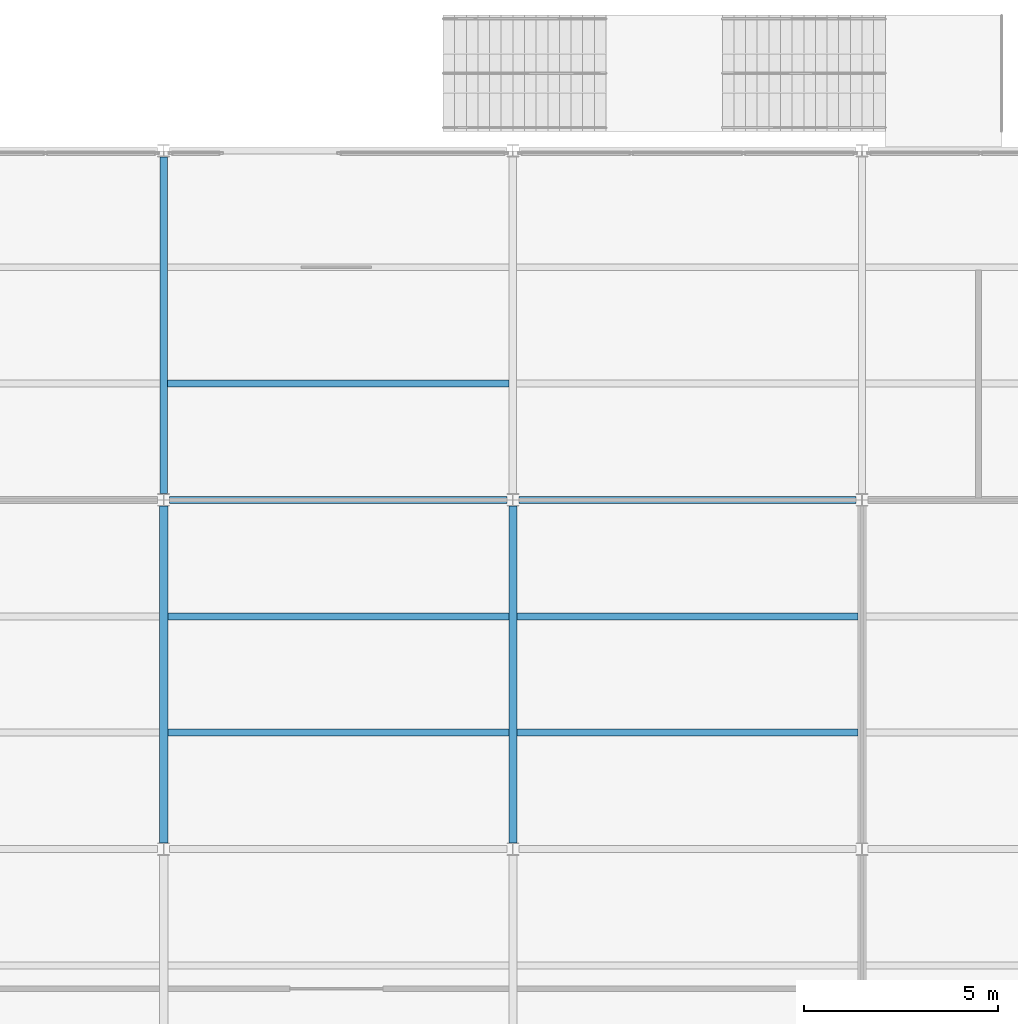
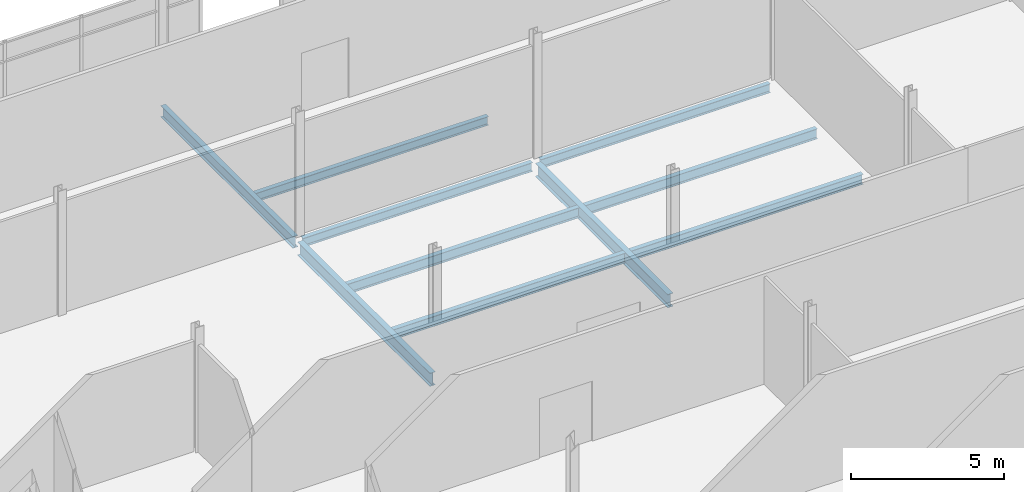
# One storey, part 23 of 112: 10 beams.
"""IFC4 building model written with IfcOpenShell, lengths in metres."""

from ifc_helpers import new_model, si_unit, direction, frame, origin, origin_2d, place, context, subcontext, project, spatial, i_section, extrude, material, material_profile, profile_set, type_object, element, save


model = new_model("IFC4")

# Units and contexts
model_context = context("Model", 3, precision=1e-05, world=origin(), true_north=direction((0.0, 1.0)))
body_context = subcontext(model_context, "Body", "Model", "MODEL_VIEW")
ifc_project = project(units=[si_unit("LENGTHUNIT", "METRE"), si_unit("AREAUNIT", "SQUARE_METRE"), si_unit("VOLUMEUNIT", "CUBIC_METRE"), si_unit("PLANEANGLEUNIT", "RADIAN"), si_unit("MASSUNIT", "GRAM", prefix="KILO")], contexts=[model_context])

# Site, building, storey
site_placement = place(None, origin())
site = spatial("IfcSite", under=ifc_project, at=site_placement, CompositionType="ELEMENT")
building_placement = place(site_placement, origin())
building = spatial("IfcBuilding", under=site, at=building_placement, Name="Shorebreak Coast Museum", CompositionType="ELEMENT")
storey_placement = place(building_placement, frame((0.0, 0.0, 6.0)))
storey = spatial("IfcBuildingStorey", under=building, at=storey_placement, Name="L01", CompositionType="ELEMENT", Elevation=6.0)

# Beams
ifc_material_1 = material(Name="Steel Grade 300", Category="steel")
ifc_material_profile_1 = material_profile(ifc_material_1, i_section(OverallWidth=0.172119140625, OverallDepth=0.358642578125, WebThickness=0.008056640625, FlangeThickness=0.012939453125, FilletRadius=0.011474609375, at=origin_2d()), Name="360UB56.7")
ifc_profile_set_1 = profile_set([ifc_material_profile_1], Name="Steel Grade 300")
beam_type_1 = type_object("IfcBeamType", Name="Floor girder east-west 360UB56.7", PredefinedType="BEAM", material=ifc_profile_set_1)
for number, where, z_axis, x_axis, name in (
    (1, (81.154541015625, 54.0, -0.354248046875), (1.0, 0.0, 0.0), (0.0, 1.0, 0.0), "Floor girder east-west L01 10G"),
    (2, (90.154541015625, 54.0, -0.354248046875), (1.0, 0.0, 0.0), (0.0, 1.0, 0.0), "Floor girder east-west L01 11G"),
):
    element("IfcBeam", number, at=place(storey_placement, frame(where, z_axis=z_axis, x_axis=x_axis)), inside=storey, type_object=beam_type_1, Name=name, PredefinedType="BEAM", context=body_context, shape_type="SweptSolid", body=[
        extrude(i_section(OverallWidth=0.172119140625, OverallDepth=0.358642578125, WebThickness=0.008056640625, FlangeThickness=0.012939453125, FilletRadius=0.011474609375, at=origin_2d()), origin(), (0.0, 0.0, 1.0), 8.69091796875),
    ])
ifc_material_2 = material(Name="Steel Grade 300", Category="steel")
ifc_material_profile_2 = material_profile(ifc_material_2, i_section(OverallWidth=0.19091796875, OverallDepth=0.46044921875, WebThickness=0.010009765625, FlangeThickness=0.01611328125, FilletRadius=0.011474609375, at=origin_2d()), Name="460UB82.1")
ifc_profile_set_2 = profile_set([ifc_material_profile_2], Name="Steel Grade 300")
beam_type_2 = type_object("IfcBeamType", Name="Floor girder north-south 460UB82.1", PredefinedType="BEAM", material=ifc_profile_set_2)
beam_1_placement = place(storey_placement, frame((81.0, 54.160400390625, -0.4052734375), z_axis=(0.0, 1.0, 0.0), x_axis=(-1.0, 0.0, 0.0)))
element("IfcBeam", 3, at=beam_1_placement, inside=storey, type_object=beam_type_2, Name="Floor girder north-south L01 10G", PredefinedType="BEAM", context=body_context, shape_type="SweptSolid", body=[
    extrude(i_section(OverallWidth=0.19091796875, OverallDepth=0.46044921875, WebThickness=0.010009765625, FlangeThickness=0.01611328125, FilletRadius=0.011474609375, at=origin_2d()), origin(), (0.0, 0.0, 1.0), 8.676025390625),
])
ifc_material_3 = material(Name="Steel Grade 300", Category="steel")
ifc_material_profile_3 = material_profile(ifc_material_3, i_section(OverallWidth=0.208984375, OverallDepth=0.532958984375, WebThickness=0.01025390625, FlangeThickness=0.015625, FilletRadius=0.013916015625, at=origin_2d()), Name="530UB92.4")
ifc_profile_set_3 = profile_set([ifc_material_profile_3], Name="Steel Grade 300")
beam_type_3 = type_object("IfcBeamType", Name="Floor girder north-south 530UB92.4", PredefinedType="BEAM", material=ifc_profile_set_3)
for number, where, z_axis, x_axis, name in (
    (4, (81.0, 45.160400390625, -0.44140625), (0.0, 1.0, 0.0), (-1.0, 0.0, 0.0), "Floor girder north-south L01 10F"),
    (5, (90.0, 45.160400390625, -0.44140625), (0.0, 1.0, 0.0), (-1.0, 0.0, 0.0), "Floor girder north-south L01 11F"),
):
    element("IfcBeam", number, at=place(storey_placement, frame(where, z_axis=z_axis, x_axis=x_axis)), inside=storey, type_object=beam_type_3, Name=name, PredefinedType="BEAM", context=body_context, shape_type="SweptSolid", body=[
        extrude(i_section(OverallWidth=0.208984375, OverallDepth=0.532958984375, WebThickness=0.01025390625, FlangeThickness=0.015625, FilletRadius=0.013916015625, at=origin_2d()), origin(), (0.0, 0.0, 1.0), 8.67919921875),
    ])
ifc_material_4 = material(Name="Steel Grade 300", Category="steel")
ifc_material_profile_4 = material_profile(ifc_material_4, i_section(OverallWidth=0.1708984375, OverallDepth=0.35205078125, WebThickness=0.0068359375, FlangeThickness=0.009765625, FilletRadius=0.011474609375, at=origin_2d()), Name="360UB44.7")
ifc_profile_set_4 = profile_set([ifc_material_profile_4], Name="Steel Grade 300")
beam_type_4 = type_object("IfcBeamType", Name="Floor joist 360UB44.7", PredefinedType="JOIST", material=ifc_profile_set_4)
beam_2_placement = place(storey_placement, frame((81.095458984375, 57.0, -0.35107421875), z_axis=(1.0, 0.0, 0.0), x_axis=(0.0, 1.0, 0.0)))
element("IfcBeam", 6, at=beam_2_placement, inside=storey, type_object=beam_type_4, Name="Floor joist L01 bay 10G at 3000 mm", PredefinedType="JOIST", context=body_context, shape_type="SweptSolid", body=[
    extrude(i_section(OverallWidth=0.1708984375, OverallDepth=0.35205078125, WebThickness=0.0068359375, FlangeThickness=0.009765625, FilletRadius=0.011474609375, at=origin_2d()), origin(), (0.0, 0.0, 1.0), 8.80908203125),
])
ifc_material_5 = material(Name="Steel Grade 300", Category="steel")
ifc_material_profile_5 = material_profile(ifc_material_5, i_section(OverallWidth=0.177978515625, OverallDepth=0.402587890625, WebThickness=0.007568359375, FlangeThickness=0.010986328125, FilletRadius=0.011474609375, at=origin_2d()), Name="410UB53.7")
ifc_profile_set_5 = profile_set([ifc_material_profile_5], Name="Steel Grade 300")
beam_type_5 = type_object("IfcBeamType", Name="Floor joist 410UB53.7", PredefinedType="JOIST", material=ifc_profile_set_5)
for number, where, z_axis, x_axis, name in (
    (7, (81.1044921875, 48.0, -0.376220703125), (1.0, 0.0, 0.0), (0.0, 1.0, 0.0), "Floor joist L01 bay 10F at 3000 mm"),
    (8, (81.1044921875, 51.0, -0.376220703125), (1.0, 0.0, 0.0), (0.0, 1.0, 0.0), "Floor joist L01 bay 10F at 6000 mm"),
    (9, (90.1044921875, 48.0, -0.376220703125), (1.0, 0.0, 0.0), (0.0, 1.0, 0.0), "Floor joist L01 bay 11F at 3000 mm"),
    (10, (90.1044921875, 51.0, -0.376220703125), (1.0, 0.0, 0.0), (0.0, 1.0, 0.0), "Floor joist L01 bay 11F at 6000 mm"),
):
    element("IfcBeam", number, at=place(storey_placement, frame(where, z_axis=z_axis, x_axis=x_axis)), inside=storey, type_object=beam_type_5, Name=name, PredefinedType="JOIST", context=body_context, shape_type="SweptSolid", body=[
        extrude(i_section(OverallWidth=0.177978515625, OverallDepth=0.402587890625, WebThickness=0.007568359375, FlangeThickness=0.010986328125, FilletRadius=0.011474609375, at=origin_2d()), origin(), (0.0, 0.0, 1.0), 8.791015625),
    ])

save(model, "model.ifc")
